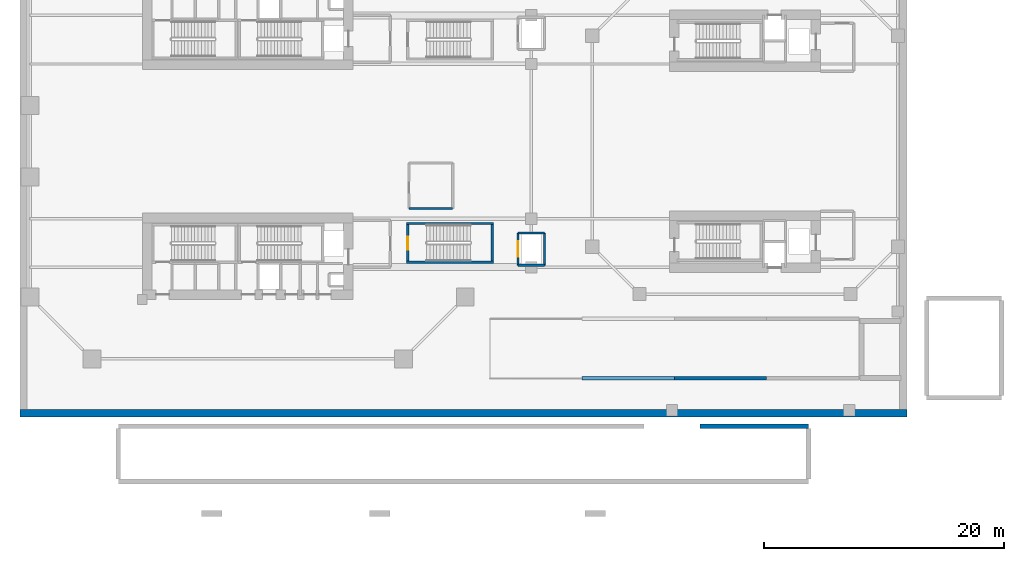
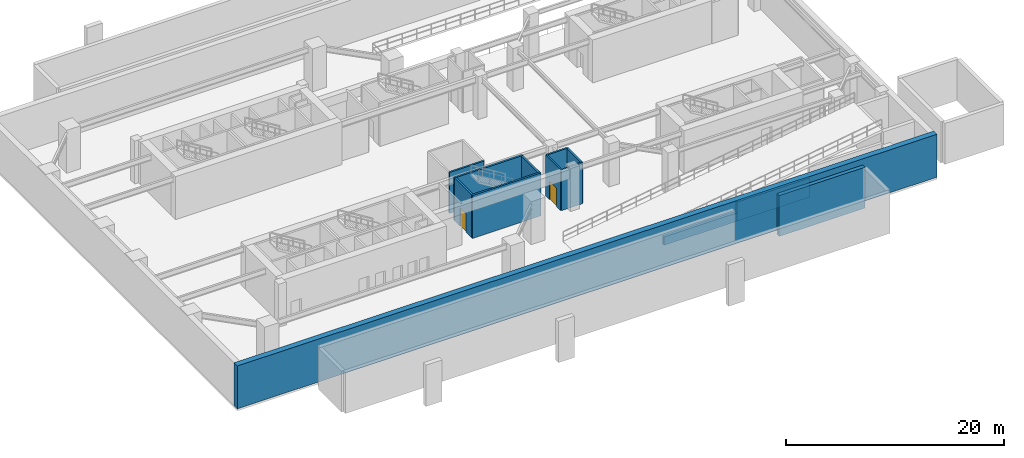
# One storey, part 3 of 10: 13 walls, 2 doors, 2 openings.
"""IFC4 building model written with IfcOpenShell, lengths in metres."""

from ifc_helpers import new_model, si_unit, direction, frame, frame_2d, origin, place, context, subcontext, project, spatial, rectangle, extrude, source, transform, mapped, material, layer, layer_set, type_object, element, fill, save


model = new_model("IFC4")

# Units and contexts
model_context = context("Model", 3, precision=1e-05, world=origin(), true_north=direction((0.0, 1.0)))
body_context = subcontext(model_context, "Body", "Model", "MODEL_VIEW")
ifc_project = project(units=[si_unit("LENGTHUNIT", "METRE"), si_unit("AREAUNIT", "SQUARE_METRE"), si_unit("VOLUMEUNIT", "CUBIC_METRE"), si_unit("PLANEANGLEUNIT", "RADIAN"), si_unit("MASSUNIT", "GRAM", prefix="KILO"), si_unit("THERMODYNAMICTEMPERATUREUNIT", "KELVIN"), si_unit("POWERUNIT", "WATT")], contexts=[model_context])

# Site, building, storey
site_placement = place(None, origin())
site = spatial("IfcSite", under=ifc_project, at=site_placement, CompositionType="ELEMENT")
building_placement = place(site_placement, origin())
building = spatial("IfcBuilding", under=site, at=building_placement, Name="Qiaomeng Ring Towers", CompositionType="ELEMENT")
storey_placement = place(building_placement, frame((0.0, 0.0, -4.800048828125)))
storey = spatial("IfcBuildingStorey", under=building, at=storey_placement, Name="B1", CompositionType="ELEMENT", Elevation=-4.800048828125)

# Walls
ifc_material_1 = material(Name="Autoclaved aerated concrete block", Category="concrete")
ifc_layer_1 = layer(ifc_material_1, 0.179931640625, Name="Autoclaved aerated concrete block")
ifc_layer_set_1 = layer_set([ifc_layer_1], Name="Autoclaved aerated concrete block")
wall_type_1 = type_object("IfcWallType", Name="ARC-WL-PW2", PredefinedType="PARTITIONING", material=ifc_layer_set_1)
wall_1_placement = place(storey_placement, frame((32.449951171875, 17.39990234375, 0.0), z_axis=(0.0, 0.0, 1.0), x_axis=(1.0, 0.0, 0.0)))
element("IfcWall", 1, at=wall_1_placement, inside=storey, type_object=wall_type_1, Name="B1 Interior Wall PW2", PredefinedType="PARTITIONING", context=body_context, shape_type="SweptSolid", body=[
    extrude(rectangle(XDim=3.650146484375, YDim=0.179931640625, at=frame_2d((1.8251953125, 0.0))), origin(), (0.0, 0.0, 1.0), 4.580078125),
])
ifc_material_2 = material(Name="Concrete C40", Category="concrete")
ifc_layer_2 = layer(ifc_material_2, 0.60009765625, Name="Concrete C40")
ifc_layer_set_2 = layer_set([ifc_layer_2], Name="Concrete C40")
wall_type_2 = type_object("IfcWallType", Name="STR-WL-BW1", PredefinedType="SOLIDWALL", material=ifc_layer_set_2)
wall_2_placement = place(storey_placement, frame((0.0, 0.300048828125, 0.0), z_axis=(0.0, 0.0, 1.0), x_axis=(1.0, 0.0, 0.0)))
element("IfcWall", 2, at=wall_2_placement, inside=storey, type_object=wall_type_2, Name="B1 RET south core shear wall", PredefinedType="SOLIDWALL", context=body_context, shape_type="SweptSolid", body=[
    extrude(rectangle(XDim=74.0, YDim=0.60009765625, at=frame_2d((37.0, 0.0))), origin(), (0.0, 0.0, 1.0), 4.800048828125),
])
ifc_layer_3 = layer(ifc_material_2, 0.39990234375, Name="Concrete C40")
ifc_layer_set_3 = layer_set([ifc_layer_3], Name="Concrete C40")
wall_type_3 = type_object("IfcWallType", Name="STR-WL-BW2", PredefinedType="SOLIDWALL", material=ifc_layer_set_3)
wall_3_placement = place(storey_placement, frame((56.75, -0.780029296875, 0.0), z_axis=(0.0, 0.0, 1.0), x_axis=(1.0, 0.0, 0.0)))
element("IfcWall", 3, at=wall_3_placement, inside=storey, type_object=wall_type_3, Name="B1 Apron Retaining Plinth Wall PLZ-S-N2", PredefinedType="SOLIDWALL", context=body_context, shape_type="SweptSolid", body=[
    extrude(rectangle(XDim=9.050048828125, YDim=0.39990234375, at=frame_2d((4.52490234375, 0.0))), origin(), (0.0, 0.0, 1.0), 4.580078125),
])
wall_4_placement = place(storey_placement, frame((46.89990234375, 3.219970703125, 0.0), z_axis=(0.0, 0.0, 1.0), x_axis=(1.0, 0.0, 0.0)))
element("IfcWall", 4, at=wall_4_placement, inside=storey, type_object=wall_type_3, Name="B1 Vehicle Ramp R1 Stepped Support Wall S2", PredefinedType="SOLIDWALL", context=body_context, shape_type="SweptSolid", body=[
    extrude(rectangle(XDim=7.7001953125, YDim=0.300048828125, at=frame_2d((3.85009765625, 0.0))), origin(), (0.0, 0.0, 1.0), 0.93994140625),
])
wall_5_placement = place(storey_placement, frame((54.60009765625, 3.219970703125, 0.0), z_axis=(0.0, 0.0, 1.0), x_axis=(1.0, 0.0, 0.0)))
element("IfcWall", 5, at=wall_5_placement, inside=storey, type_object=wall_type_3, Name="B1 Vehicle Ramp R1 Stepped Support Wall S3", PredefinedType="SOLIDWALL", context=body_context, shape_type="SweptSolid", body=[
    extrude(rectangle(XDim=7.699951171875, YDim=0.300048828125, at=frame_2d((3.85009765625, 0.0))), origin(), (0.0, 0.0, 1.0), 2.14013671875),
])

# Wall, opening, door
ifc_layer_4 = layer(ifc_material_2, 0.199951171875, Name="Concrete C40")
ifc_layer_set_4 = layer_set([ifc_layer_4], Name="Concrete C40")
wall_type_4 = type_object("IfcWallType", Name="STR-WL-STSHAFT", PredefinedType="SHEAR", material=ifc_layer_set_4)
wall_6_placement = place(storey_placement, frame((41.550048828125, 12.64990234375, 0.0), z_axis=(0.0, 0.0, 1.0), x_axis=(0.0, 1.0, 0.0)))
wall_6 = element("IfcWall", 6, at=wall_6_placement, inside=storey, type_object=wall_type_4, Name="B1 Medical Lift LP10 West Shaft Wall", PredefinedType="SHEAR", context=body_context, shape_type="SweptSolid", body=[
    extrude(rectangle(XDim=2.7001953125, YDim=0.179931640625, at=frame_2d((1.35009765625, 0.0))), origin(), (0.0, 0.0, 1.0), 4.580078125),
])
opening_1_placement = place(wall_6_placement, frame((0.699951171875, 0.0, 0.0)))
opening_1 = element("IfcOpeningElement", 7, at=opening_1_placement, cuts=wall_6, Name="Opening LD2", PredefinedType="OPENING", context=body_context, shape_type="SweptSolid", body=[
    extrude(rectangle(XDim=1.300048828125, YDim=2.050048828125, at=frame_2d((0.64990234375, 1.02490234375))), frame((0.0, 0.099853515625, 0.0), z_axis=(0.0, -1.0, 0.0), x_axis=(1.0, 0.0, 0.0)), (0.0, 0.0, 1.0), 0.199951171875),
])
ifc_material_3 = material(Name="Stainless steel 316", Category="steel")
door_type_1 = type_object("IfcDoorType", Name="ARC-DR-LD2", OperationType="NOTDEFINED", PredefinedType="DOOR", material=ifc_material_3)
shared_shape_1 = source(origin(), body_context, "Body", "SweptSolid", [
    extrude(rectangle(XDim=1.300048828125, YDim=2.050048828125, at=frame_2d((0.64990234375, 1.02490234375))), frame((0.0, 0.02490234375, 0.0), z_axis=(0.0, -1.0, 0.0), x_axis=(1.0, 0.0, 0.0)), (0.0, 0.0, 1.0), 0.050048828125),
])
door_1_placement = place(opening_1_placement, origin())
door_1 = element("IfcDoor", 8, at=door_1_placement, inside=storey, type_object=door_type_1, Name="B1 Medical Lift LP10 Landing Door", OperationType="SLIDING_TO_LEFT", OverallHeight=2.050048828125, OverallWidth=1.300048828125, PredefinedType="DOOR", context=body_context, shape_type="MappedRepresentation", body=[
    mapped(shared_shape_1, transform((0.0, 0.0, 0.0), x_axis=(1.0, 0.0, 0.0), y_axis=(0.0, 1.0, 0.0), z_axis=(0.0, 0.0, 1.0), scale=1.0)),
])
fill(opening_1, door_1)

# Walls
wall_7_placement = place(storey_placement, frame((43.75, 12.64990234375, 0.0), z_axis=(0.0, 0.0, 1.0), x_axis=(0.0, 1.0, 0.0)))
element("IfcWall", 9, at=wall_7_placement, inside=storey, type_object=wall_type_4, Name="B1 Medical Lift LP10 East Shaft Wall", PredefinedType="SHEAR", context=body_context, shape_type="SweptSolid", body=[
    extrude(rectangle(XDim=2.7001953125, YDim=0.179931640625, at=frame_2d((1.35009765625, 0.0))), origin(), (0.0, 0.0, 1.0), 4.580078125),
])
for number, where, z_axis, x_axis, name in (
    (10, (41.550048828125, 12.64990234375, 0.0), (0.0, 0.0, 1.0), (1.0, 0.0, 0.0), "B1 Medical Lift LP10 South Shaft Wall"),
    (11, (41.550048828125, 15.35009765625, 0.0), (0.0, 0.0, 1.0), (1.0, 0.0, 0.0), "B1 Medical Lift LP10 North Shaft Wall"),
):
    element("IfcWall", number, at=place(storey_placement, frame(where, z_axis=z_axis, x_axis=x_axis)), inside=storey, type_object=wall_type_4, Name=name, PredefinedType="SHEAR", context=body_context, shape_type="SweptSolid", body=[
        extrude(rectangle(XDim=2.199951171875, YDim=0.179931640625, at=frame_2d((1.10009765625, 0.0))), origin(), (0.0, 0.0, 1.0), 4.580078125),
    ])
for number, where, z_axis, x_axis, name in (
    (12, (32.25, 12.89990234375, 0.0), (0.0, 0.0, 1.0), (1.0, 0.0, 0.0), "B1 Stair ST8 South Shaft Shear Wall"),
    (13, (32.25, 16.139892578125, 0.0), (0.0, 0.0, 1.0), (1.0, 0.0, 0.0), "B1 Stair ST8 North Shaft Shear Wall"),
):
    element("IfcWall", number, at=place(storey_placement, frame(where, z_axis=z_axis, x_axis=x_axis)), inside=storey, type_object=wall_type_4, Name=name, PredefinedType="SHEAR", context=body_context, shape_type="SweptSolid", body=[
        extrude(rectangle(XDim=7.25, YDim=0.199951171875, at=frame_2d((3.625, 0.0))), origin(), (0.0, 0.0, 1.0), 4.800048828125),
    ])

# Wall, opening, door
wall_8_placement = place(storey_placement, frame((32.35009765625, 13.0, 0.0), z_axis=(0.0, 0.0, 1.0), x_axis=(0.0, 1.0, 0.0)))
wall_8 = element("IfcWall", 14, at=wall_8_placement, inside=storey, type_object=wall_type_4, Name="B1 Stair ST8 West Shaft Shear Wall", PredefinedType="SHEAR", context=body_context, shape_type="SweptSolid", body=[
    extrude(rectangle(XDim=3.0400390625, YDim=0.199951171875, at=frame_2d((1.52001953125, 0.0))), origin(), (0.0, 0.0, 1.0), 4.800048828125),
])
opening_2_placement = place(wall_8_placement, frame((0.949951171875, 0.0, 0.0)))
opening_2 = element("IfcOpeningElement", 15, at=opening_2_placement, cuts=wall_8, Name="Opening FD3", PredefinedType="OPENING", context=body_context, shape_type="SweptSolid", body=[
    extrude(rectangle(XDim=1.10009765625, YDim=2.050048828125, at=frame_2d((0.550048828125, 1.02490234375))), frame((0.0, 0.10986328125, 0.0), z_axis=(0.0, -1.0, 0.0), x_axis=(1.0, 0.0, 0.0)), (0.0, 0.0, 1.0), 0.219970703125),
])
ifc_material_4 = material(Name="Galvanised steel", Category="steel")
door_type_2 = type_object("IfcDoorType", Name="ARC-DR-FD3", OperationType="NOTDEFINED", PredefinedType="DOOR", material=ifc_material_4)
shared_shape_2 = source(origin(), body_context, "Body", "SweptSolid", [
    extrude(rectangle(XDim=1.10009765625, YDim=2.050048828125, at=frame_2d((0.550048828125, 1.02490234375))), frame((0.0, 0.02490234375, 0.0), z_axis=(0.0, -1.0, 0.0), x_axis=(1.0, 0.0, 0.0)), (0.0, 0.0, 1.0), 0.050048828125),
])
door_2_placement = place(opening_2_placement, origin())
door_2 = element("IfcDoor", 16, at=door_2_placement, inside=storey, type_object=door_type_2, Name="B1 Podium Stair ST8 Exit Door", OperationType="SINGLE_SWING_LEFT", OverallHeight=2.050048828125, OverallWidth=1.10009765625, PredefinedType="DOOR", context=body_context, shape_type="MappedRepresentation", body=[
    mapped(shared_shape_2, transform((0.0, 0.0, 0.0), x_axis=(1.0, 0.0, 0.0), y_axis=(0.0, 1.0, 0.0), z_axis=(0.0, 0.0, 1.0), scale=1.0)),
])
fill(opening_2, door_2)

# Wall
wall_9_placement = place(storey_placement, frame((39.39990234375, 13.0, 0.0), z_axis=(0.0, 0.0, 1.0), x_axis=(0.0, 1.0, 0.0)))
element("IfcWall", 17, at=wall_9_placement, inside=storey, type_object=wall_type_4, Name="B1 Stair ST8 East Shaft Shear Wall", PredefinedType="SHEAR", context=body_context, shape_type="SweptSolid", body=[
    extrude(rectangle(XDim=3.0400390625, YDim=0.199951171875, at=frame_2d((1.52001953125, 0.0))), origin(), (0.0, 0.0, 1.0), 4.800048828125),
])

save(model, "model.ifc")
